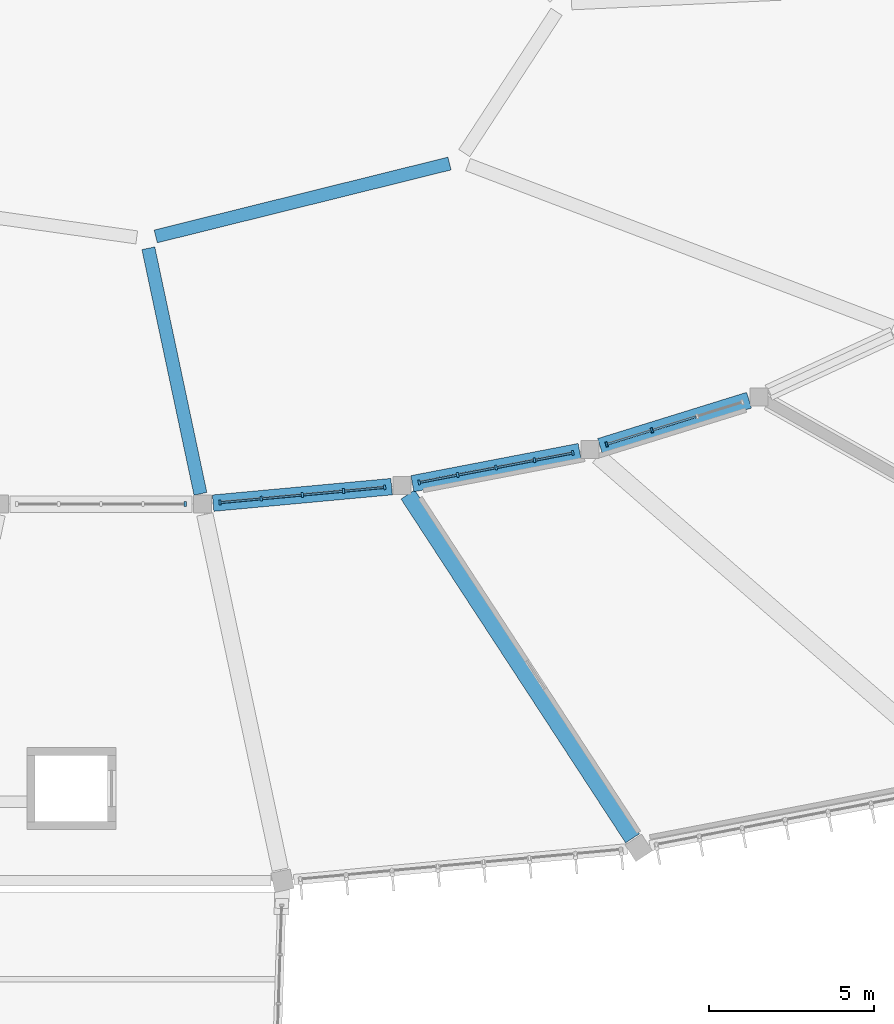
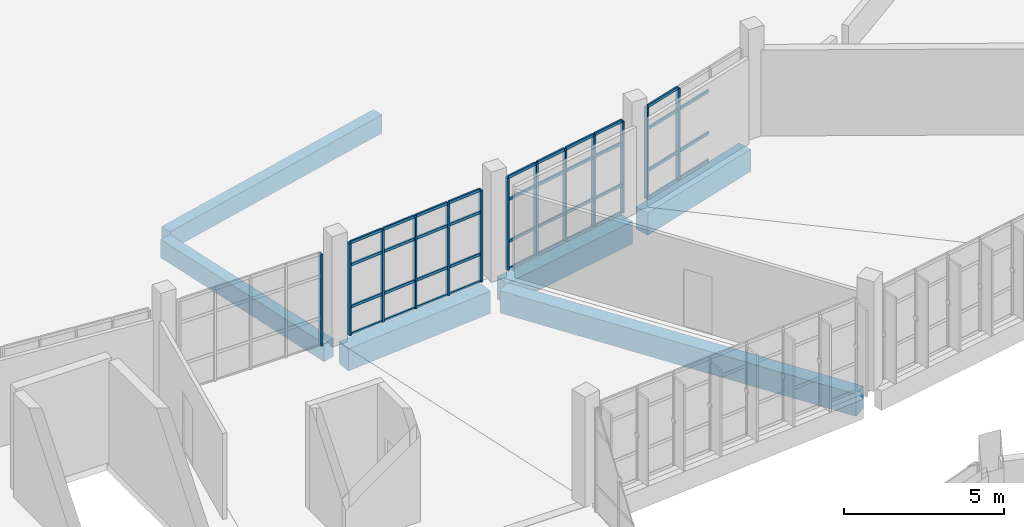
# One storey, part 43 of 142: 52 members, 6 beams, 4 elements without a shape of their own.
"""IFC4 building model written with IfcOpenShell, lengths in metres."""

from ifc_helpers import new_model, si_unit, direction, frame, origin, origin_2d, place, context, subcontext, project, spatial, rectangle, extrude, material, layer, layer_set, material_profile, profile_set, type_object, element, aggregate, save


model = new_model("IFC4")

# Units and contexts
model_context = context("Model", 3, precision=1e-05, world=origin(), true_north=direction((0.0, 1.0)))
body_context = subcontext(model_context, "Body", "Model", "MODEL_VIEW")
ifc_project = project(units=[si_unit("LENGTHUNIT", "METRE"), si_unit("AREAUNIT", "SQUARE_METRE"), si_unit("VOLUMEUNIT", "CUBIC_METRE"), si_unit("PLANEANGLEUNIT", "RADIAN"), si_unit("MASSUNIT", "GRAM", prefix="KILO")], contexts=[model_context])

# Site, building, storey
site_placement = place(None, origin())
site = spatial("IfcSite", under=ifc_project, at=site_placement, CompositionType="ELEMENT")
building_placement = place(site_placement, origin())
building = spatial("IfcBuilding", under=site, at=building_placement, Name="Corvandel Quay Wholesale Market", CompositionType="ELEMENT")
storey_placement = place(building_placement, frame((0.0, 0.0, 10.800048828125)))
storey = spatial("IfcBuildingStorey", under=building, at=storey_placement, Name="L02", CompositionType="ELEMENT", Elevation=10.800048828125)

# Curtain wall, member
ifc_material_1 = material(Name="Bronze anodised aluminium and low-E insulated glazing", Category="aluminium")
ifc_layer_1 = layer(ifc_material_1, 0.197998046875)
ifc_layer_set_1 = layer_set([ifc_layer_1], Name="Bronze anodised aluminium and low-E insulated glazing")
curtain_wall_type_1 = type_object("IfcCurtainWallType", Name="Stick Curtain Wall System CW09 H3810", PredefinedType="NOTDEFINED", material=ifc_layer_set_1)
curtain_wall_1_placement = place(storey_placement, origin())
curtain_wall_1 = element("IfcCurtainWall", 1, at=curtain_wall_1_placement, inside=storey, type_object=curtain_wall_type_1, Name="Curtain Wall CW-0115", PredefinedType="NOTDEFINED")
ifc_material_2 = material(Name="Anodised aluminium 6063-T6", Category="aluminium")
ifc_material_profile_1 = material_profile(ifc_material_2, rectangle(XDim=0.06494140625, YDim=0.14990234375, at=origin_2d()), Name="ALU-MUL-65x150")
ifc_profile_set_1 = profile_set([ifc_material_profile_1], Name="Anodised aluminium 6063-T6")
member_type_1 = type_object("IfcMemberType", Name="Curtain Wall Mullion ML02 65x150", PredefinedType="MULLION", material=ifc_profile_set_1)
member_1_placement = place(storey_placement, frame((116.55908203125, 101.43994140625, 0.0), z_axis=(0.0, 0.0, 1.0), x_axis=(1.0, 0.0, 0.0)))
member_1 = element("IfcMember", 2, at=member_1_placement, type_object=member_type_1, Name="Mullion CW-0115-M04", PredefinedType="MULLION", context=body_context, shape_type="SweptSolid", body=[
    extrude(rectangle(XDim=0.06494140625, YDim=0.14990234375, at=origin_2d()), origin(), (0.0, 0.0, 1.0), 3.5),
])
aggregate(curtain_wall_1, [member_1])

# Curtain wall, members
ifc_layer_2 = layer(ifc_material_1, 0.14990234375)
ifc_layer_set_2 = layer_set([ifc_layer_2], Name="Bronze anodised aluminium and low-E insulated glazing")
curtain_wall_type_2 = type_object("IfcCurtainWallType", Name="Stick Curtain Wall System CW10 H3900", PredefinedType="NOTDEFINED", material=ifc_layer_set_2)
curtain_wall_2_placement = place(storey_placement, origin())
curtain_wall_2 = element("IfcCurtainWall", 3, at=curtain_wall_2_placement, inside=storey, type_object=curtain_wall_type_2, Name="Curtain Wall CW-0118", PredefinedType="NOTDEFINED")
member_2_placement = place(storey_placement, frame((117.61669921875, 101.48876953125, 0.0), z_axis=(0.0, 0.0, 1.0), x_axis=(0.995756880939, 0.092023008338, 0.0)))
member_2 = element("IfcMember", 4, at=member_2_placement, type_object=member_type_1, Name="Mullion CW-0118-M00", PredefinedType="MULLION", context=body_context, shape_type="SweptSolid", body=[
    extrude(rectangle(XDim=0.06494140625, YDim=0.14990234375, at=origin_2d()), origin(), (0.0, 0.0, 1.0), 3.5),
])
member_3_placement = place(storey_placement, frame((118.8671875, 101.6044921875, 0.0), z_axis=(0.0, 0.0, 1.0), x_axis=(0.995756880939, 0.092023008338, 0.0)))
member_3 = element("IfcMember", 5, at=member_3_placement, type_object=member_type_1, Name="Mullion CW-0118-M01", PredefinedType="MULLION", context=body_context, shape_type="SweptSolid", body=[
    extrude(rectangle(XDim=0.06494140625, YDim=0.14990234375, at=origin_2d()), origin(), (0.0, 0.0, 1.0), 3.5),
])
member_4_placement = place(storey_placement, frame((120.117919921875, 101.719970703125, 0.0), z_axis=(0.0, 0.0, 1.0), x_axis=(0.995756880939, 0.092023008338, 0.0)))
member_4 = element("IfcMember", 6, at=member_4_placement, type_object=member_type_1, Name="Mullion CW-0118-M02", PredefinedType="MULLION", context=body_context, shape_type="SweptSolid", body=[
    extrude(rectangle(XDim=0.06494140625, YDim=0.14990234375, at=origin_2d()), origin(), (0.0, 0.0, 1.0), 3.5),
])
member_5_placement = place(storey_placement, frame((121.36865234375, 101.835693359375, 0.0), z_axis=(0.0, 0.0, 1.0), x_axis=(0.995756880939, 0.092023008338, 0.0)))
member_5 = element("IfcMember", 7, at=member_5_placement, type_object=member_type_1, Name="Mullion CW-0118-M03", PredefinedType="MULLION", context=body_context, shape_type="SweptSolid", body=[
    extrude(rectangle(XDim=0.06494140625, YDim=0.14990234375, at=origin_2d()), origin(), (0.0, 0.0, 1.0), 3.5),
])
member_6_placement = place(storey_placement, frame((122.619384765625, 101.951171875, 0.0), z_axis=(0.0, 0.0, 1.0), x_axis=(0.995756880939, 0.092023008338, 0.0)))
member_6 = element("IfcMember", 8, at=member_6_placement, type_object=member_type_1, Name="Mullion CW-0118-M04", PredefinedType="MULLION", context=body_context, shape_type="SweptSolid", body=[
    extrude(rectangle(XDim=0.06494140625, YDim=0.14990234375, at=origin_2d()), origin(), (0.0, 0.0, 1.0), 3.5),
])

ifc_layer_3 = layer(ifc_material_1, 0.162109375)
ifc_layer_set_3 = layer_set([ifc_layer_3], Name="Bronze anodised aluminium and low-E insulated glazing")
curtain_wall_type_3 = type_object("IfcCurtainWallType", Name="Stick Curtain Wall System CW11 H3990", PredefinedType="NOTDEFINED", material=ifc_layer_set_3)
curtain_wall_3_placement = place(storey_placement, origin())
curtain_wall_3 = element("IfcCurtainWall", 9, at=curtain_wall_3_placement, inside=storey, type_object=curtain_wall_type_3, Name="Curtain Wall CW-0121", PredefinedType="NOTDEFINED")
member_7_placement = place(storey_placement, frame((123.66748046875, 102.10009765625, 0.0), z_axis=(0.0, 0.0, 1.0), x_axis=(0.982024659632, 0.188752663223, 0.0)))
member_7 = element("IfcMember", 10, at=member_7_placement, type_object=member_type_1, Name="Mullion CW-0121-M00", PredefinedType="MULLION", context=body_context, shape_type="SweptSolid", body=[
    extrude(rectangle(XDim=0.06494140625, YDim=0.14990234375, at=origin_2d()), origin(), (0.0, 0.0, 1.0), 3.5),
])
member_8_placement = place(storey_placement, frame((124.834228515625, 102.32421875, 0.0), z_axis=(0.0, 0.0, 1.0), x_axis=(0.982024659632, 0.188752663223, 0.0)))
member_8 = element("IfcMember", 11, at=member_8_placement, type_object=member_type_1, Name="Mullion CW-0121-M01", PredefinedType="MULLION", context=body_context, shape_type="SweptSolid", body=[
    extrude(rectangle(XDim=0.06494140625, YDim=0.14990234375, at=origin_2d()), origin(), (0.0, 0.0, 1.0), 3.5),
])
member_9_placement = place(storey_placement, frame((126.0009765625, 102.548583984375, 0.0), z_axis=(0.0, 0.0, 1.0), x_axis=(0.982024659632, 0.188752663223, 0.0)))
member_9 = element("IfcMember", 12, at=member_9_placement, type_object=member_type_1, Name="Mullion CW-0121-M02", PredefinedType="MULLION", context=body_context, shape_type="SweptSolid", body=[
    extrude(rectangle(XDim=0.06494140625, YDim=0.14990234375, at=origin_2d()), origin(), (0.0, 0.0, 1.0), 3.5),
])
member_10_placement = place(storey_placement, frame((127.167724609375, 102.772705078125, 0.0), z_axis=(0.0, 0.0, 1.0), x_axis=(0.982024659632, 0.188752663223, 0.0)))
member_10 = element("IfcMember", 13, at=member_10_placement, type_object=member_type_1, Name="Mullion CW-0121-M03", PredefinedType="MULLION", context=body_context, shape_type="SweptSolid", body=[
    extrude(rectangle(XDim=0.06494140625, YDim=0.14990234375, at=origin_2d()), origin(), (0.0, 0.0, 1.0), 3.5),
])
member_11_placement = place(storey_placement, frame((128.33447265625, 102.996826171875, 0.0), z_axis=(0.0, 0.0, 1.0), x_axis=(0.982024659632, 0.188752663223, 0.0)))
member_11 = element("IfcMember", 14, at=member_11_placement, type_object=member_type_1, Name="Mullion CW-0121-M04", PredefinedType="MULLION", context=body_context, shape_type="SweptSolid", body=[
    extrude(rectangle(XDim=0.06494140625, YDim=0.14990234375, at=origin_2d()), origin(), (0.0, 0.0, 1.0), 3.5),
])

ifc_layer_4 = layer(ifc_material_1, 0.174072265625)
ifc_layer_set_4 = layer_set([ifc_layer_4], Name="Bronze anodised aluminium and low-E insulated glazing")
curtain_wall_type_4 = type_object("IfcCurtainWallType", Name="Stick Curtain Wall System CW12 H4080", PredefinedType="NOTDEFINED", material=ifc_layer_set_4)
curtain_wall_4_placement = place(storey_placement, origin())
curtain_wall_4 = element("IfcCurtainWall", 15, at=curtain_wall_4_placement, inside=storey, type_object=curtain_wall_type_4, Name="Curtain Wall CW-0124", PredefinedType="NOTDEFINED")
member_12_placement = place(storey_placement, frame((129.361083984375, 103.254150390625, 0.0), z_axis=(0.0, 0.0, 1.0), x_axis=(0.95507168618, 0.296374888035, 0.0)))
member_12 = element("IfcMember", 16, at=member_12_placement, type_object=member_type_1, Name="Mullion CW-0124-M00", PredefinedType="MULLION", context=body_context, shape_type="SweptSolid", body=[
    extrude(rectangle(XDim=0.06494140625, YDim=0.14990234375, at=origin_2d()), origin(), (0.0, 0.0, 1.0), 3.5),
])
member_13_placement = place(storey_placement, frame((130.735595703125, 103.6806640625, 0.0), z_axis=(0.0, 0.0, 1.0), x_axis=(0.95507168618, 0.296374888035, 0.0)))
member_13 = element("IfcMember", 17, at=member_13_placement, type_object=member_type_1, Name="Mullion CW-0124-M01", PredefinedType="MULLION", context=body_context, shape_type="SweptSolid", body=[
    extrude(rectangle(XDim=0.06494140625, YDim=0.14990234375, at=origin_2d()), origin(), (0.0, 0.0, 1.0), 3.5),
])

# Member
ifc_material_profile_2 = material_profile(ifc_material_2, rectangle(XDim=0.06005859375, YDim=0.110107421875, at=origin_2d()), Name="ALU-TRN-60x110")
ifc_profile_set_2 = profile_set([ifc_material_profile_2], Name="Anodised aluminium 6063-T6")
member_type_2 = type_object("IfcMemberType", Name="Curtain Wall Transom TR02 60x110", PredefinedType="USERDEFINED", material=ifc_profile_set_2)
member_14_placement = place(storey_placement, frame((117.649169921875, 101.49169921875, 0.0), z_axis=(0.995754256495, 0.09205140234, 0.0), x_axis=(-0.09205140234, 0.995754256495, 0.0)))
member_14 = element("IfcMember", 18, at=member_14_placement, type_object=member_type_2, Name="Transom CW-0118-T00-0", ObjectType="TRANSOM", PredefinedType="USERDEFINED", context=body_context, shape_type="SweptSolid", body=[
    extrude(rectangle(XDim=0.06005859375, YDim=0.110107421875, at=origin_2d()), origin(), (0.0, 0.0, 1.0), 1.19091796875),
])

member_15_placement = place(storey_placement, frame((117.649169921875, 101.49169921875, 1.050048828125), z_axis=(0.995754256495, 0.09205140234, 0.0), x_axis=(-0.09205140234, 0.995754256495, 0.0)))
member_15 = element("IfcMember", 19, at=member_15_placement, type_object=member_type_2, Name="Transom CW-0118-T00-1", ObjectType="TRANSOM", PredefinedType="USERDEFINED", context=body_context, shape_type="SweptSolid", body=[
    extrude(rectangle(XDim=0.06005859375, YDim=0.110107421875, at=origin_2d()), origin(), (0.0, 0.0, 1.0), 1.19091796875),
])

member_16_placement = place(storey_placement, frame((117.649169921875, 101.49169921875, 2.64990234375), z_axis=(0.995754256495, 0.09205140234, 0.0), x_axis=(-0.09205140234, 0.995754256495, 0.0)))
member_16 = element("IfcMember", 20, at=member_16_placement, type_object=member_type_2, Name="Transom CW-0118-T00-2", ObjectType="TRANSOM", PredefinedType="USERDEFINED", context=body_context, shape_type="SweptSolid", body=[
    extrude(rectangle(XDim=0.06005859375, YDim=0.110107421875, at=origin_2d()), origin(), (0.0, 0.0, 1.0), 1.19091796875),
])

member_17_placement = place(storey_placement, frame((117.649169921875, 101.49169921875, 3.5), z_axis=(0.995754256495, 0.09205140234, 0.0), x_axis=(-0.09205140234, 0.995754256495, 0.0)))
member_17 = element("IfcMember", 21, at=member_17_placement, type_object=member_type_2, Name="Transom CW-0118-T00-3", ObjectType="TRANSOM", PredefinedType="USERDEFINED", context=body_context, shape_type="SweptSolid", body=[
    extrude(rectangle(XDim=0.06005859375, YDim=0.110107421875, at=origin_2d()), origin(), (0.0, 0.0, 1.0), 1.19091796875),
])

member_18_placement = place(storey_placement, frame((118.899658203125, 101.607421875, 0.0), z_axis=(0.995755993143, 0.092032614434, 0.0), x_axis=(-0.092032614434, 0.995755993143, 0.0)))
member_18 = element("IfcMember", 22, at=member_18_placement, type_object=member_type_2, Name="Transom CW-0118-T01-0", ObjectType="TRANSOM", PredefinedType="USERDEFINED", context=body_context, shape_type="SweptSolid", body=[
    extrude(rectangle(XDim=0.06005859375, YDim=0.110107421875, at=origin_2d()), origin(), (0.0, 0.0, 1.0), 1.191162109375),
])

member_19_placement = place(storey_placement, frame((118.899658203125, 101.607421875, 1.050048828125), z_axis=(0.995755993143, 0.092032614434, 0.0), x_axis=(-0.092032614434, 0.995755993143, 0.0)))
member_19 = element("IfcMember", 23, at=member_19_placement, type_object=member_type_2, Name="Transom CW-0118-T01-1", ObjectType="TRANSOM", PredefinedType="USERDEFINED", context=body_context, shape_type="SweptSolid", body=[
    extrude(rectangle(XDim=0.06005859375, YDim=0.110107421875, at=origin_2d()), origin(), (0.0, 0.0, 1.0), 1.191162109375),
])

member_20_placement = place(storey_placement, frame((118.899658203125, 101.607421875, 2.64990234375), z_axis=(0.995755993143, 0.092032614434, 0.0), x_axis=(-0.092032614434, 0.995755993143, 0.0)))
member_20 = element("IfcMember", 24, at=member_20_placement, type_object=member_type_2, Name="Transom CW-0118-T01-2", ObjectType="TRANSOM", PredefinedType="USERDEFINED", context=body_context, shape_type="SweptSolid", body=[
    extrude(rectangle(XDim=0.06005859375, YDim=0.110107421875, at=origin_2d()), origin(), (0.0, 0.0, 1.0), 1.191162109375),
])

member_21_placement = place(storey_placement, frame((118.899658203125, 101.607421875, 3.5), z_axis=(0.995755993143, 0.092032614434, 0.0), x_axis=(-0.092032614434, 0.995755993143, 0.0)))
member_21 = element("IfcMember", 25, at=member_21_placement, type_object=member_type_2, Name="Transom CW-0118-T01-3", ObjectType="TRANSOM", PredefinedType="USERDEFINED", context=body_context, shape_type="SweptSolid", body=[
    extrude(rectangle(XDim=0.06005859375, YDim=0.110107421875, at=origin_2d()), origin(), (0.0, 0.0, 1.0), 1.191162109375),
])

member_22_placement = place(storey_placement, frame((120.150390625, 101.722900390625, 0.0), z_axis=(0.995754256495, 0.09205140234, 0.0), x_axis=(-0.09205140234, 0.995754256495, 0.0)))
member_22 = element("IfcMember", 26, at=member_22_placement, type_object=member_type_2, Name="Transom CW-0118-T02-0", ObjectType="TRANSOM", PredefinedType="USERDEFINED", context=body_context, shape_type="SweptSolid", body=[
    extrude(rectangle(XDim=0.06005859375, YDim=0.110107421875, at=origin_2d()), origin(), (0.0, 0.0, 1.0), 1.19091796875),
])

member_23_placement = place(storey_placement, frame((120.150390625, 101.722900390625, 1.050048828125), z_axis=(0.995754256495, 0.09205140234, 0.0), x_axis=(-0.09205140234, 0.995754256495, 0.0)))
member_23 = element("IfcMember", 27, at=member_23_placement, type_object=member_type_2, Name="Transom CW-0118-T02-1", ObjectType="TRANSOM", PredefinedType="USERDEFINED", context=body_context, shape_type="SweptSolid", body=[
    extrude(rectangle(XDim=0.06005859375, YDim=0.110107421875, at=origin_2d()), origin(), (0.0, 0.0, 1.0), 1.19091796875),
])

member_24_placement = place(storey_placement, frame((120.150390625, 101.722900390625, 2.64990234375), z_axis=(0.995754256495, 0.09205140234, 0.0), x_axis=(-0.09205140234, 0.995754256495, 0.0)))
member_24 = element("IfcMember", 28, at=member_24_placement, type_object=member_type_2, Name="Transom CW-0118-T02-2", ObjectType="TRANSOM", PredefinedType="USERDEFINED", context=body_context, shape_type="SweptSolid", body=[
    extrude(rectangle(XDim=0.06005859375, YDim=0.110107421875, at=origin_2d()), origin(), (0.0, 0.0, 1.0), 1.19091796875),
])

member_25_placement = place(storey_placement, frame((120.150390625, 101.722900390625, 3.5), z_axis=(0.995754256495, 0.09205140234, 0.0), x_axis=(-0.09205140234, 0.995754256495, 0.0)))
member_25 = element("IfcMember", 29, at=member_25_placement, type_object=member_type_2, Name="Transom CW-0118-T02-3", ObjectType="TRANSOM", PredefinedType="USERDEFINED", context=body_context, shape_type="SweptSolid", body=[
    extrude(rectangle(XDim=0.06005859375, YDim=0.110107421875, at=origin_2d()), origin(), (0.0, 0.0, 1.0), 1.19091796875),
])

member_26_placement = place(storey_placement, frame((121.40087890625, 101.838623046875, 0.0), z_axis=(0.995755993143, 0.092032614434, 0.0), x_axis=(-0.092032614434, 0.995755993143, 0.0)))
member_26 = element("IfcMember", 30, at=member_26_placement, type_object=member_type_2, Name="Transom CW-0118-T03-0", ObjectType="TRANSOM", PredefinedType="USERDEFINED", context=body_context, shape_type="SweptSolid", body=[
    extrude(rectangle(XDim=0.06005859375, YDim=0.110107421875, at=origin_2d()), origin(), (0.0, 0.0, 1.0), 1.191162109375),
])

member_27_placement = place(storey_placement, frame((121.40087890625, 101.838623046875, 1.050048828125), z_axis=(0.995755993143, 0.092032614434, 0.0), x_axis=(-0.092032614434, 0.995755993143, 0.0)))
member_27 = element("IfcMember", 31, at=member_27_placement, type_object=member_type_2, Name="Transom CW-0118-T03-1", ObjectType="TRANSOM", PredefinedType="USERDEFINED", context=body_context, shape_type="SweptSolid", body=[
    extrude(rectangle(XDim=0.06005859375, YDim=0.110107421875, at=origin_2d()), origin(), (0.0, 0.0, 1.0), 1.191162109375),
])

member_28_placement = place(storey_placement, frame((121.40087890625, 101.838623046875, 2.64990234375), z_axis=(0.995755993143, 0.092032614434, 0.0), x_axis=(-0.092032614434, 0.995755993143, 0.0)))
member_28 = element("IfcMember", 32, at=member_28_placement, type_object=member_type_2, Name="Transom CW-0118-T03-2", ObjectType="TRANSOM", PredefinedType="USERDEFINED", context=body_context, shape_type="SweptSolid", body=[
    extrude(rectangle(XDim=0.06005859375, YDim=0.110107421875, at=origin_2d()), origin(), (0.0, 0.0, 1.0), 1.191162109375),
])

member_29_placement = place(storey_placement, frame((121.40087890625, 101.838623046875, 3.5), z_axis=(0.995755993143, 0.092032614434, 0.0), x_axis=(-0.092032614434, 0.995755993143, 0.0)))
member_29 = element("IfcMember", 33, at=member_29_placement, type_object=member_type_2, Name="Transom CW-0118-T03-3", ObjectType="TRANSOM", PredefinedType="USERDEFINED", context=body_context, shape_type="SweptSolid", body=[
    extrude(rectangle(XDim=0.06005859375, YDim=0.110107421875, at=origin_2d()), origin(), (0.0, 0.0, 1.0), 1.191162109375),
])

aggregate(curtain_wall_2, [member_2, member_3, member_4, member_5, member_6, member_14, member_15, member_16, member_17, member_18, member_19, member_20, member_21, member_22, member_23, member_24, member_25, member_26, member_27, member_28, member_29])

member_30_placement = place(storey_placement, frame((123.699462890625, 102.106201171875, 0.0), z_axis=(0.982032799319, 0.188710309898, 0.0), x_axis=(-0.188710309898, 0.982032799319, 0.0)))
member_30 = element("IfcMember", 34, at=member_30_placement, type_object=member_type_2, Name="Transom CW-0121-T00-0", ObjectType="TRANSOM", PredefinedType="USERDEFINED", context=body_context, shape_type="SweptSolid", body=[
    extrude(rectangle(XDim=0.06005859375, YDim=0.110107421875, at=origin_2d()), origin(), (0.0, 0.0, 1.0), 1.123046875),
])

member_31_placement = place(storey_placement, frame((123.699462890625, 102.106201171875, 1.050048828125), z_axis=(0.982032799319, 0.188710309898, 0.0), x_axis=(-0.188710309898, 0.982032799319, 0.0)))
member_31 = element("IfcMember", 35, at=member_31_placement, type_object=member_type_2, Name="Transom CW-0121-T00-1", ObjectType="TRANSOM", PredefinedType="USERDEFINED", context=body_context, shape_type="SweptSolid", body=[
    extrude(rectangle(XDim=0.06005859375, YDim=0.110107421875, at=origin_2d()), origin(), (0.0, 0.0, 1.0), 1.123046875),
])

member_32_placement = place(storey_placement, frame((123.699462890625, 102.106201171875, 2.64990234375), z_axis=(0.982032799319, 0.188710309898, 0.0), x_axis=(-0.188710309898, 0.982032799319, 0.0)))
member_32 = element("IfcMember", 36, at=member_32_placement, type_object=member_type_2, Name="Transom CW-0121-T00-2", ObjectType="TRANSOM", PredefinedType="USERDEFINED", context=body_context, shape_type="SweptSolid", body=[
    extrude(rectangle(XDim=0.06005859375, YDim=0.110107421875, at=origin_2d()), origin(), (0.0, 0.0, 1.0), 1.123046875),
])

member_33_placement = place(storey_placement, frame((123.699462890625, 102.106201171875, 3.5), z_axis=(0.982032799319, 0.188710309898, 0.0), x_axis=(-0.188710309898, 0.982032799319, 0.0)))
member_33 = element("IfcMember", 37, at=member_33_placement, type_object=member_type_2, Name="Transom CW-0121-T00-3", ObjectType="TRANSOM", PredefinedType="USERDEFINED", context=body_context, shape_type="SweptSolid", body=[
    extrude(rectangle(XDim=0.06005859375, YDim=0.110107421875, at=origin_2d()), origin(), (0.0, 0.0, 1.0), 1.123046875),
])

member_34_placement = place(storey_placement, frame((124.8662109375, 102.330322265625, 0.0), z_axis=(0.981992488569, 0.188919962933, 0.0), x_axis=(-0.188919962933, 0.981992488569, 0.0)))
member_34 = element("IfcMember", 38, at=member_34_placement, type_object=member_type_2, Name="Transom CW-0121-T01-0", ObjectType="TRANSOM", PredefinedType="USERDEFINED", context=body_context, shape_type="SweptSolid", body=[
    extrude(rectangle(XDim=0.06005859375, YDim=0.110107421875, at=origin_2d()), origin(), (0.0, 0.0, 1.0), 1.123046875),
])

member_35_placement = place(storey_placement, frame((124.8662109375, 102.330322265625, 1.050048828125), z_axis=(0.981992488569, 0.188919962933, 0.0), x_axis=(-0.188919962933, 0.981992488569, 0.0)))
member_35 = element("IfcMember", 39, at=member_35_placement, type_object=member_type_2, Name="Transom CW-0121-T01-1", ObjectType="TRANSOM", PredefinedType="USERDEFINED", context=body_context, shape_type="SweptSolid", body=[
    extrude(rectangle(XDim=0.06005859375, YDim=0.110107421875, at=origin_2d()), origin(), (0.0, 0.0, 1.0), 1.123046875),
])

member_36_placement = place(storey_placement, frame((124.8662109375, 102.330322265625, 2.64990234375), z_axis=(0.981992488569, 0.188919962933, 0.0), x_axis=(-0.188919962933, 0.981992488569, 0.0)))
member_36 = element("IfcMember", 40, at=member_36_placement, type_object=member_type_2, Name="Transom CW-0121-T01-2", ObjectType="TRANSOM", PredefinedType="USERDEFINED", context=body_context, shape_type="SweptSolid", body=[
    extrude(rectangle(XDim=0.06005859375, YDim=0.110107421875, at=origin_2d()), origin(), (0.0, 0.0, 1.0), 1.123046875),
])

member_37_placement = place(storey_placement, frame((124.8662109375, 102.330322265625, 3.5), z_axis=(0.981992488569, 0.188919962933, 0.0), x_axis=(-0.188919962933, 0.981992488569, 0.0)))
member_37 = element("IfcMember", 41, at=member_37_placement, type_object=member_type_2, Name="Transom CW-0121-T01-3", ObjectType="TRANSOM", PredefinedType="USERDEFINED", context=body_context, shape_type="SweptSolid", body=[
    extrude(rectangle(XDim=0.06005859375, YDim=0.110107421875, at=origin_2d()), origin(), (0.0, 0.0, 1.0), 1.123046875),
])

member_38_placement = place(storey_placement, frame((126.032958984375, 102.5546875, 0.0), z_axis=(0.982032799319, 0.188710309898, 0.0), x_axis=(-0.188710309898, 0.982032799319, 0.0)))
member_38 = element("IfcMember", 42, at=member_38_placement, type_object=member_type_2, Name="Transom CW-0121-T02-0", ObjectType="TRANSOM", PredefinedType="USERDEFINED", context=body_context, shape_type="SweptSolid", body=[
    extrude(rectangle(XDim=0.06005859375, YDim=0.110107421875, at=origin_2d()), origin(), (0.0, 0.0, 1.0), 1.123046875),
])

member_39_placement = place(storey_placement, frame((126.032958984375, 102.5546875, 1.050048828125), z_axis=(0.982032799319, 0.188710309898, 0.0), x_axis=(-0.188710309898, 0.982032799319, 0.0)))
member_39 = element("IfcMember", 43, at=member_39_placement, type_object=member_type_2, Name="Transom CW-0121-T02-1", ObjectType="TRANSOM", PredefinedType="USERDEFINED", context=body_context, shape_type="SweptSolid", body=[
    extrude(rectangle(XDim=0.06005859375, YDim=0.110107421875, at=origin_2d()), origin(), (0.0, 0.0, 1.0), 1.123046875),
])

member_40_placement = place(storey_placement, frame((126.032958984375, 102.5546875, 2.64990234375), z_axis=(0.982032799319, 0.188710309898, 0.0), x_axis=(-0.188710309898, 0.982032799319, 0.0)))
member_40 = element("IfcMember", 44, at=member_40_placement, type_object=member_type_2, Name="Transom CW-0121-T02-2", ObjectType="TRANSOM", PredefinedType="USERDEFINED", context=body_context, shape_type="SweptSolid", body=[
    extrude(rectangle(XDim=0.06005859375, YDim=0.110107421875, at=origin_2d()), origin(), (0.0, 0.0, 1.0), 1.123046875),
])

member_41_placement = place(storey_placement, frame((126.032958984375, 102.5546875, 3.5), z_axis=(0.982032799319, 0.188710309898, 0.0), x_axis=(-0.188710309898, 0.982032799319, 0.0)))
member_41 = element("IfcMember", 45, at=member_41_placement, type_object=member_type_2, Name="Transom CW-0121-T02-3", ObjectType="TRANSOM", PredefinedType="USERDEFINED", context=body_context, shape_type="SweptSolid", body=[
    extrude(rectangle(XDim=0.06005859375, YDim=0.110107421875, at=origin_2d()), origin(), (0.0, 0.0, 1.0), 1.123046875),
])

member_42_placement = place(storey_placement, frame((127.19970703125, 102.77880859375, 0.0), z_axis=(0.982032799319, 0.188710309898, 0.0), x_axis=(-0.188710309898, 0.982032799319, 0.0)))
member_42 = element("IfcMember", 46, at=member_42_placement, type_object=member_type_2, Name="Transom CW-0121-T03-0", ObjectType="TRANSOM", PredefinedType="USERDEFINED", context=body_context, shape_type="SweptSolid", body=[
    extrude(rectangle(XDim=0.06005859375, YDim=0.110107421875, at=origin_2d()), origin(), (0.0, 0.0, 1.0), 1.123046875),
])

member_43_placement = place(storey_placement, frame((127.19970703125, 102.77880859375, 1.050048828125), z_axis=(0.982032799319, 0.188710309898, 0.0), x_axis=(-0.188710309898, 0.982032799319, 0.0)))
member_43 = element("IfcMember", 47, at=member_43_placement, type_object=member_type_2, Name="Transom CW-0121-T03-1", ObjectType="TRANSOM", PredefinedType="USERDEFINED", context=body_context, shape_type="SweptSolid", body=[
    extrude(rectangle(XDim=0.06005859375, YDim=0.110107421875, at=origin_2d()), origin(), (0.0, 0.0, 1.0), 1.123046875),
])

member_44_placement = place(storey_placement, frame((127.19970703125, 102.77880859375, 2.64990234375), z_axis=(0.982032799319, 0.188710309898, 0.0), x_axis=(-0.188710309898, 0.982032799319, 0.0)))
member_44 = element("IfcMember", 48, at=member_44_placement, type_object=member_type_2, Name="Transom CW-0121-T03-2", ObjectType="TRANSOM", PredefinedType="USERDEFINED", context=body_context, shape_type="SweptSolid", body=[
    extrude(rectangle(XDim=0.06005859375, YDim=0.110107421875, at=origin_2d()), origin(), (0.0, 0.0, 1.0), 1.123046875),
])

member_45_placement = place(storey_placement, frame((127.19970703125, 102.77880859375, 3.5), z_axis=(0.982032799319, 0.188710309898, 0.0), x_axis=(-0.188710309898, 0.982032799319, 0.0)))
member_45 = element("IfcMember", 49, at=member_45_placement, type_object=member_type_2, Name="Transom CW-0121-T03-3", ObjectType="TRANSOM", PredefinedType="USERDEFINED", context=body_context, shape_type="SweptSolid", body=[
    extrude(rectangle(XDim=0.06005859375, YDim=0.110107421875, at=origin_2d()), origin(), (0.0, 0.0, 1.0), 1.123046875),
])

aggregate(curtain_wall_3, [member_7, member_8, member_9, member_10, member_11, member_30, member_31, member_32, member_33, member_34, member_35, member_36, member_37, member_38, member_39, member_40, member_41, member_42, member_43, member_44, member_45])

member_46_placement = place(storey_placement, frame((129.39208984375, 103.263671875, 0.0), z_axis=(0.955034652569, 0.296494202965, 0.0), x_axis=(-0.296494202965, 0.955034652569, 0.0)))
member_46 = element("IfcMember", 50, at=member_46_placement, type_object=member_type_2, Name="Transom CW-0124-T00-0", ObjectType="TRANSOM", PredefinedType="USERDEFINED", context=body_context, shape_type="SweptSolid", body=[
    extrude(rectangle(XDim=0.06005859375, YDim=0.110107421875, at=origin_2d()), origin(), (0.0, 0.0, 1.0), 1.374267578125),
])

member_47_placement = place(storey_placement, frame((129.39208984375, 103.263671875, 1.050048828125), z_axis=(0.955034652569, 0.296494202965, 0.0), x_axis=(-0.296494202965, 0.955034652569, 0.0)))
member_47 = element("IfcMember", 51, at=member_47_placement, type_object=member_type_2, Name="Transom CW-0124-T00-1", ObjectType="TRANSOM", PredefinedType="USERDEFINED", context=body_context, shape_type="SweptSolid", body=[
    extrude(rectangle(XDim=0.06005859375, YDim=0.110107421875, at=origin_2d()), origin(), (0.0, 0.0, 1.0), 1.374267578125),
])

member_48_placement = place(storey_placement, frame((129.39208984375, 103.263671875, 2.64990234375), z_axis=(0.955034652569, 0.296494202965, 0.0), x_axis=(-0.296494202965, 0.955034652569, 0.0)))
member_48 = element("IfcMember", 52, at=member_48_placement, type_object=member_type_2, Name="Transom CW-0124-T00-2", ObjectType="TRANSOM", PredefinedType="USERDEFINED", context=body_context, shape_type="SweptSolid", body=[
    extrude(rectangle(XDim=0.06005859375, YDim=0.110107421875, at=origin_2d()), origin(), (0.0, 0.0, 1.0), 1.374267578125),
])

member_49_placement = place(storey_placement, frame((129.39208984375, 103.263671875, 3.5), z_axis=(0.955034652569, 0.296494202965, 0.0), x_axis=(-0.296494202965, 0.955034652569, 0.0)))
member_49 = element("IfcMember", 53, at=member_49_placement, type_object=member_type_2, Name="Transom CW-0124-T00-3", ObjectType="TRANSOM", PredefinedType="USERDEFINED", context=body_context, shape_type="SweptSolid", body=[
    extrude(rectangle(XDim=0.06005859375, YDim=0.110107421875, at=origin_2d()), origin(), (0.0, 0.0, 1.0), 1.374267578125),
])

member_50_placement = place(storey_placement, frame((130.766845703125, 103.690185546875, 0.0), z_axis=(0.955019031786, 0.296544514242, 0.0), x_axis=(-0.296544514242, 0.955019031786, 0.0)))
member_50 = element("IfcMember", 54, at=member_50_placement, type_object=member_type_2, Name="Transom CW-0124-T01-0", ObjectType="TRANSOM", PredefinedType="USERDEFINED", context=body_context, shape_type="SweptSolid", body=[
    extrude(rectangle(XDim=0.06005859375, YDim=0.110107421875, at=origin_2d()), origin(), (0.0, 0.0, 1.0), 1.3740234375),
])

member_51_placement = place(storey_placement, frame((130.766845703125, 103.690185546875, 1.050048828125), z_axis=(0.955019031786, 0.296544514242, 0.0), x_axis=(-0.296544514242, 0.955019031786, 0.0)))
member_51 = element("IfcMember", 55, at=member_51_placement, type_object=member_type_2, Name="Transom CW-0124-T01-1", ObjectType="TRANSOM", PredefinedType="USERDEFINED", context=body_context, shape_type="SweptSolid", body=[
    extrude(rectangle(XDim=0.06005859375, YDim=0.110107421875, at=origin_2d()), origin(), (0.0, 0.0, 1.0), 1.3740234375),
])

member_52_placement = place(storey_placement, frame((130.766845703125, 103.690185546875, 2.64990234375), z_axis=(0.955019031786, 0.296544514242, 0.0), x_axis=(-0.296544514242, 0.955019031786, 0.0)))
member_52 = element("IfcMember", 56, at=member_52_placement, type_object=member_type_2, Name="Transom CW-0124-T01-2", ObjectType="TRANSOM", PredefinedType="USERDEFINED", context=body_context, shape_type="SweptSolid", body=[
    extrude(rectangle(XDim=0.06005859375, YDim=0.110107421875, at=origin_2d()), origin(), (0.0, 0.0, 1.0), 1.3740234375),
])

aggregate(curtain_wall_4, [member_12, member_13, member_46, member_47, member_48, member_49, member_50, member_51, member_52])

# Beams
ifc_material_3 = material(Name="Precast concrete C45/55", Category="concrete")
ifc_material_profile_3 = material_profile(ifc_material_3, rectangle(XDim=0.5, YDim=0.85009765625, at=origin_2d()), Name="PC-GIR-500x850")
ifc_profile_set_3 = profile_set([ifc_material_profile_3], Name="Precast concrete C45/55")
beam_type_1 = type_object("IfcBeamType", Name="Fish Hall Radial Girder G04 500x850", PredefinedType="USERDEFINED", material=ifc_profile_set_3)
beam_1_placement = place(storey_placement, frame((117.40771484375, 101.469482421875, -0.7451171875), z_axis=(0.995756442366, 0.092027753895, 0.0), x_axis=(-0.092027753895, 0.995756442366, 0.0)))
element("IfcBeam", 57, at=beam_1_placement, inside=storey, type_object=beam_type_1, Name="Beam BM-0700", ObjectType="GIRDER", PredefinedType="USERDEFINED", context=body_context, shape_type="SweptSolid", body=[
    extrude(rectangle(XDim=0.5, YDim=0.85009765625, at=origin_2d()), origin(), (0.0, 0.0, 1.0), 5.44384765625),
])
beam_2_placement = place(storey_placement, frame((123.461181640625, 102.060302734375, -0.7451171875), z_axis=(0.982025294811, 0.188749358548, 0.0), x_axis=(-0.188749358548, 0.982025294811, 0.0)))
element("IfcBeam", 58, at=beam_2_placement, inside=storey, type_object=beam_type_1, Name="Beam BM-0710", ObjectType="GIRDER", PredefinedType="USERDEFINED", context=body_context, shape_type="SweptSolid", body=[
    extrude(rectangle(XDim=0.5, YDim=0.85009765625, at=origin_2d()), origin(), (0.0, 0.0, 1.0), 5.172607421875),
])
beam_3_placement = place(storey_placement, frame((130.146240234375, 91.287841796875, -0.7451171875), z_axis=(-0.546981498626, 0.837144694877, 0.0), x_axis=(-0.837144694877, -0.546981498626, 0.0)))
element("IfcBeam", 59, at=beam_3_placement, inside=storey, type_object=beam_type_1, Name="Beam BM-0711", ObjectType="GIRDER", PredefinedType="USERDEFINED", context=body_context, shape_type="SweptSolid", body=[
    extrude(rectangle(XDim=0.5, YDim=0.85009765625, at=origin_2d()), origin(), (0.0, 0.0, 1.0), 12.47607421875),
])
beam_4_placement = place(storey_placement, frame((129.16064453125, 103.19189453125, -0.7451171875), z_axis=(0.955058603289, 0.296417044522, 0.0), x_axis=(-0.296417044522, 0.955058603289, 0.0)))
element("IfcBeam", 60, at=beam_4_placement, inside=storey, type_object=beam_type_1, Name="Beam BM-0720", ObjectType="GIRDER", PredefinedType="USERDEFINED", context=body_context, shape_type="SweptSolid", body=[
    extrude(rectangle(XDim=0.5, YDim=0.85009765625, at=origin_2d()), origin(), (0.0, 0.0, 1.0), 4.737548828125),
])
ifc_material_profile_4 = material_profile(ifc_material_3, rectangle(XDim=0.39990234375, YDim=0.699951171875, at=origin_2d()), Name="PC-GIR-400x700")
ifc_profile_set_4 = profile_set([ifc_material_profile_4], Name="Precast concrete C45/55")
beam_type_2 = type_object("IfcBeamType", Name="Roof Deck Primary Girder G07 400x700", PredefinedType="USERDEFINED", material=ifc_profile_set_4)
beam_5_placement = place(storey_placement, frame((115.665283203125, 109.571044921875, -0.550048828125), z_axis=(0.970575192999, 0.240798244873, 0.0), x_axis=(-0.240798244873, 0.970575192999, 0.0)))
element("IfcBeam", 61, at=beam_5_placement, inside=storey, type_object=beam_type_2, Name="Beam BM-0516", ObjectType="GIRDER", PredefinedType="USERDEFINED", context=body_context, shape_type="SweptSolid", body=[
    extrude(rectangle(XDim=0.39990234375, YDim=0.699951171875, at=origin_2d()), origin(), (0.0, 0.0, 1.0), 9.19384765625),
])
beam_6_placement = place(storey_placement, frame((117.022705078125, 101.7529296875, -0.550048828125), z_axis=(-0.207556206033, 0.978223093848, 0.0), x_axis=(-0.978223093848, -0.207556206033, 0.0)))
element("IfcBeam", 62, at=beam_6_placement, inside=storey, type_object=beam_type_2, Name="Beam BM-0517", ObjectType="GIRDER", PredefinedType="USERDEFINED", context=body_context, shape_type="SweptSolid", body=[
    extrude(rectangle(XDim=0.39990234375, YDim=0.699951171875, at=origin_2d()), origin(), (0.0, 0.0, 1.0), 7.62451171875),
])

save(model, "model.ifc")
